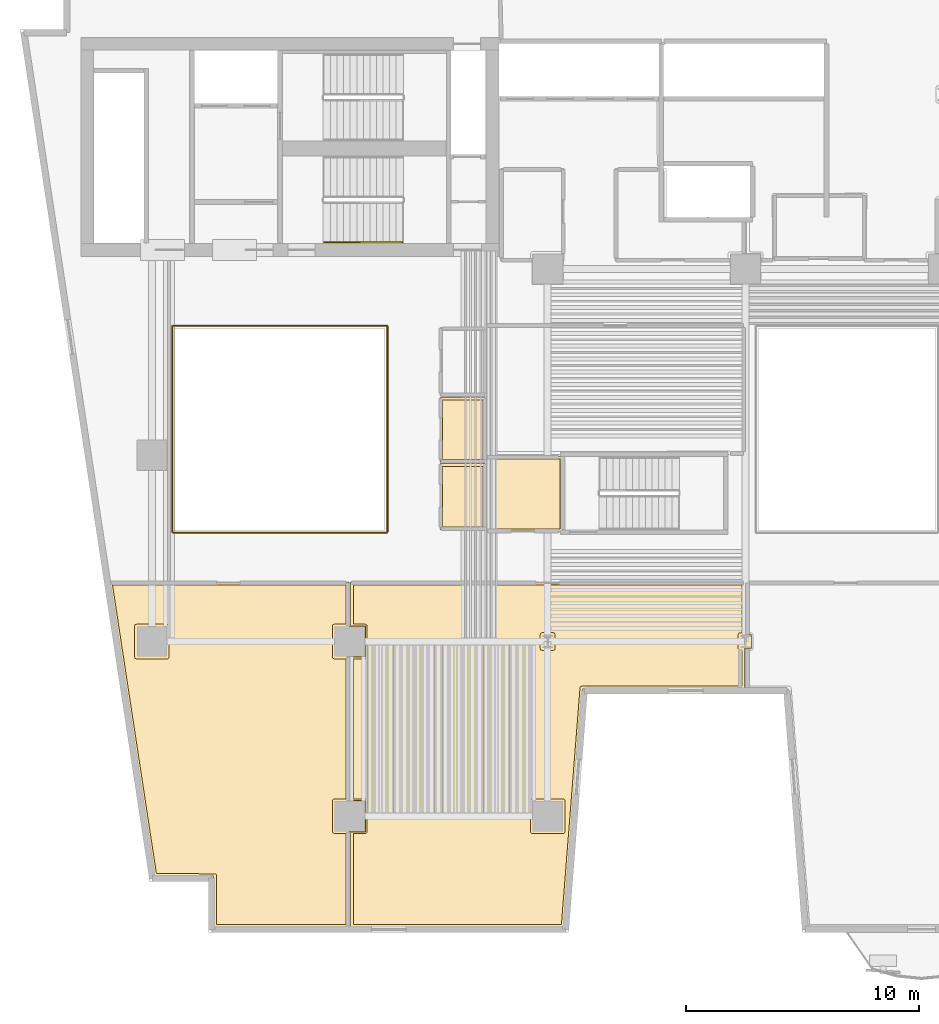
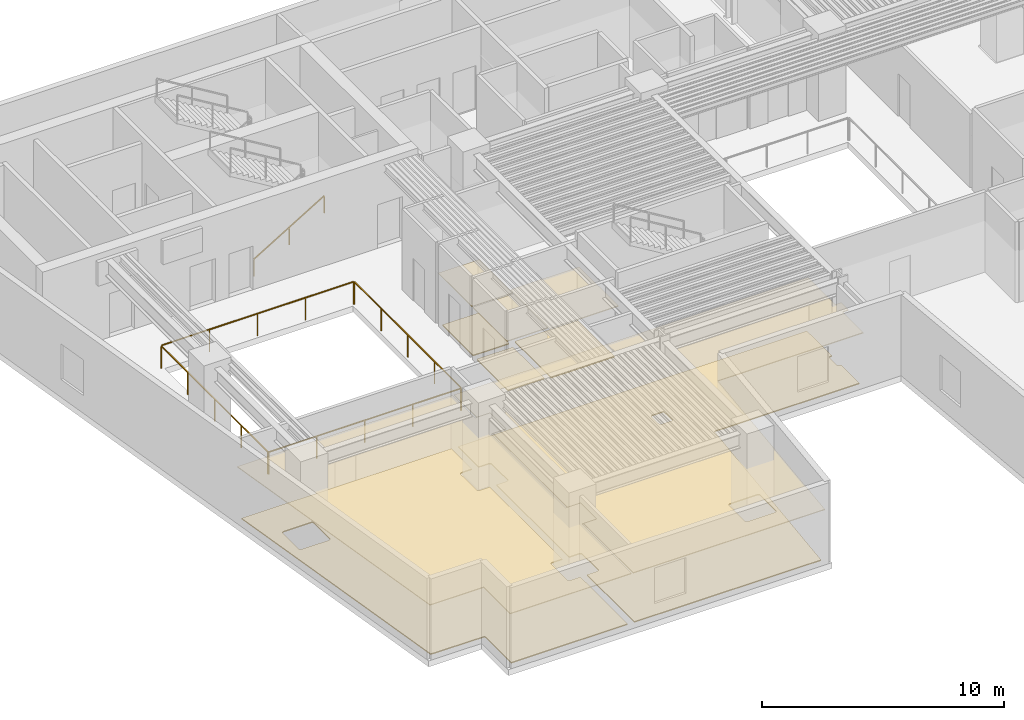
# One storey, part 8 of 12: 10 coverings, 5 railings.
"""IFC4 building model written with IfcOpenShell, lengths in metres."""

from ifc_helpers import new_model, si_unit, direction, frame, origin, origin_2d, place, context, subcontext, project, spatial, polyline, rectangle, outline, extrude, material, layer, layer_set, type_object, element, save


model = new_model("IFC4")

# Units and contexts
model_context = context("Model", 3, precision=1e-05, world=origin(), true_north=direction((0.0, 1.0)))
body_context = subcontext(model_context, "Body", "Model", "MODEL_VIEW")
ifc_project = project(units=[si_unit("LENGTHUNIT", "METRE"), si_unit("AREAUNIT", "SQUARE_METRE"), si_unit("VOLUMEUNIT", "CUBIC_METRE"), si_unit("PLANEANGLEUNIT", "RADIAN"), si_unit("MASSUNIT", "GRAM", prefix="KILO")], contexts=[model_context])

# Site, building, storey
site_placement = place(None, origin())
site = spatial("IfcSite", under=ifc_project, at=site_placement, CompositionType="ELEMENT")
building_placement = place(site_placement, origin())
building = spatial("IfcBuilding", under=site, at=building_placement, Name="Caeloran Harvest Quay", CompositionType="ELEMENT")
storey_placement = place(building_placement, frame((0.0, 0.0, 35.800048828125)))
storey = spatial("IfcBuildingStorey", under=building, at=storey_placement, Name="L08", CompositionType="ELEMENT", Elevation=35.800048828125)

# Coverings
ifc_material_1 = material(Name="Perforated Mineral-Fibre Acoustic Ceiling Tile", Category="ceiling")
ifc_layer_1 = layer(ifc_material_1, 0.0400390625, Name="Perforated Mineral-Fibre Acoustic Ceiling Tile")
ifc_layer_set_1 = layer_set([ifc_layer_1], Name="Perforated Mineral-Fibre Acoustic Ceiling Tile")
covering_type_1 = type_object("IfcCoveringType", Name="COV-CEILING-ACOUSTIC", PredefinedType="CEILING", material=ifc_layer_set_1)
covering_1_placement = place(storey_placement, frame((0.0, 0.0, 2.599853515625)))
element("IfcCovering", 1, at=covering_1_placement, inside=storey, type_object=covering_type_1, Name="L08 Female Washroom WC Acoustic Ceiling", PredefinedType="CEILING", context=body_context, shape_type="SweptSolid", body=[
    extrude(outline(polyline([(22.840087890625, 22.7099609375), (20.8701171875, 22.7099609375), (20.8701171875, 25.489990234375), (22.840087890625, 25.489990234375), (22.840087890625, 22.7099609375)])), origin(), (0.0, 0.0, 1.0), 0.0400390625),
])
covering_2_placement = place(storey_placement, frame((0.0, 0.0, 2.599853515625)))
element("IfcCovering", 2, at=covering_2_placement, inside=storey, type_object=covering_type_1, Name="L08 Accessible Unisex Washroom WC Acoustic Ceiling", PredefinedType="CEILING", context=body_context, shape_type="SweptSolid", body=[
    extrude(outline(polyline([(22.840087890625, 19.81005859375), (20.8701171875, 19.81005859375), (20.8701171875, 22.639892578125), (22.840087890625, 22.639892578125), (22.840087890625, 19.81005859375)])), origin(), (0.0, 0.0, 1.0), 0.0400390625),
])
covering_3_placement = place(storey_placement, frame((0.0, 0.0, 2.599853515625)))
element("IfcCovering", 3, at=covering_3_placement, inside=storey, type_object=covering_type_1, Name="Aeroponic Root-Mist Growing Chamber Acoustic Ceiling", PredefinedType="CEILING", context=body_context, shape_type="SweptSolid", body=[
    extrude(outline(polyline([(17.669921875, 6.830078125), (16.9599609375, 6.830078125), (16.9599609375, 2.719970703125), (11.156982421875, 2.719970703125), (11.156982421875, 4.919921875), (8.59130859375, 4.919921875), (6.668701171875, 17.56005859375), (16.9599609375, 17.56005859375), (16.9599609375, 15.669921875), (17.669921875, 15.669921875), (17.669921875, 14.330078125), (16.9599609375, 14.330078125), (16.9599609375, 8.169921875), (17.669921875, 8.169921875), (17.669921875, 6.830078125)])), origin(), (0.0, 0.0, 1.0), 0.0400390625),
])
covering_4_placement = place(storey_placement, frame((0.0, 0.0, 2.599853515625)))
element("IfcCovering", 4, at=covering_4_placement, inside=storey, type_object=covering_type_1, Name="Seedling Nursery Room Acoustic Ceiling", PredefinedType="CEILING", context=body_context, shape_type="SweptSolid", body=[
    extrude(outline(polyline([(16.330078125, 8.169921875), (17.0400390625, 8.169921875), (17.0400390625, 14.330078125), (16.330078125, 14.330078125), (16.330078125, 15.669921875), (17.0400390625, 15.669921875), (17.0400390625, 17.56005859375), (33.9599609375, 17.56005859375), (33.9599609375, 15.304443359375), (34.2470703125, 15.304443359375), (34.2470703125, 14.695556640625), (33.9599609375, 14.695556640625), (33.9599609375, 12.969970703125), (26.99951171875, 12.969970703125), (26.199462890625, 2.719970703125), (17.0400390625, 2.719970703125), (17.0400390625, 6.830078125), (16.330078125, 6.830078125), (16.330078125, 8.169921875)])), origin(), (0.0, 0.0, 1.0), 0.0400390625),
])
covering_5_placement = place(storey_placement, frame((0.0, 0.0, 2.599853515625)))
element("IfcCovering", 5, at=covering_5_placement, inside=storey, type_object=covering_type_1, Name="Agronomist Office Acoustic Ceiling", PredefinedType="CEILING", context=body_context, shape_type="SweptSolid", body=[
    extrude(outline(polyline([(26.139892578125, 22.9599609375), (26.139892578125, 19.7099609375), (22.8701171875, 19.7099609375), (22.8701171875, 22.9599609375), (26.139892578125, 22.9599609375)])), origin(), (0.0, 0.0, 1.0), 0.0400390625),
])
ifc_material_2 = material(Name="Calcium-Sulphate Raised Access Floor and Terrazzo Finish", Category="flooring")
ifc_layer_2 = layer(ifc_material_2, 0.050048828125, Name="Calcium-Sulphate Raised Access Floor and Terrazzo Finish")
ifc_layer_set_2 = layer_set([ifc_layer_2], Name="Calcium-Sulphate Raised Access Floor and Terrazzo Finish")
covering_type_2 = type_object("IfcCoveringType", Name="COV-FLOOR-RAISED", PredefinedType="FLOORING", material=ifc_layer_set_2)
covering_6_placement = place(storey_placement, origin())
element("IfcCovering", 6, at=covering_6_placement, inside=storey, type_object=covering_type_2, Name="L08 Female Washroom WC Raised Finish Flooring", PredefinedType="FLOORING", context=body_context, shape_type="SweptSolid", body=[
    extrude(outline(polyline([(22.719970703125, 22.830078125), (20.989990234375, 22.830078125), (20.989990234375, 25.3701171875), (22.719970703125, 25.3701171875), (22.719970703125, 22.830078125)])), origin(), (0.0, 0.0, 1.0), 0.050048828125),
])
covering_7_placement = place(storey_placement, origin())
element("IfcCovering", 7, at=covering_7_placement, inside=storey, type_object=covering_type_2, Name="L08 Accessible Unisex Washroom WC Raised Finish Flooring", PredefinedType="FLOORING", context=body_context, shape_type="SweptSolid", body=[
    extrude(outline(polyline([(22.719970703125, 19.929931640625), (20.989990234375, 19.929931640625), (20.989990234375, 22.52001953125), (22.719970703125, 22.52001953125), (22.719970703125, 19.929931640625)])), origin(), (0.0, 0.0, 1.0), 0.050048828125),
])
covering_8_placement = place(storey_placement, origin())
element("IfcCovering", 8, at=covering_8_placement, inside=storey, type_object=covering_type_2, Name="Aeroponic Root-Mist Growing Chamber Raised Finish Flooring", PredefinedType="FLOORING", context=body_context, shape_type="SweptSolid", body=[
    extrude(outline(polyline([(16.840087890625, 17.43994140625), (16.840087890625, 15.7451171875), (16.3271484375, 15.74462890625), (16.273193359375, 15.7158203125), (16.2548828125, 15.6650390625), (16.260986328125, 14.304443359375), (16.3271484375, 14.25537109375), (16.840087890625, 14.2548828125), (16.840087890625, 8.2451171875), (16.3271484375, 8.24462890625), (16.273193359375, 8.2158203125), (16.2548828125, 8.1650390625), (16.260986328125, 6.804443359375), (16.3271484375, 6.75537109375), (16.840087890625, 6.7548828125), (16.840087890625, 2.840087890625), (11.277099609375, 2.840087890625), (11.277099609375, 4.9599609375), (11.247802734375, 5.021728515625), (8.694580078125, 5.0400390625), (6.80810546875, 17.43994140625), (16.840087890625, 17.43994140625)]), holes=[polyline([(9.2451171875, 15.6650390625), (9.2216796875, 15.7216796875), (9.1650390625, 15.7451171875), (7.8349609375, 15.7451171875), (7.7783203125, 15.7216796875), (7.7548828125, 15.6650390625), (7.7548828125, 14.3349609375), (7.7783203125, 14.2783203125), (7.8349609375, 14.2548828125), (9.1650390625, 14.2548828125), (9.2216796875, 14.2783203125), (9.2451171875, 14.3349609375), (9.2451171875, 15.6650390625)])]), origin(), (0.0, 0.0, 1.0), 0.050048828125),
])
covering_9_placement = place(storey_placement, origin())
element("IfcCovering", 9, at=covering_9_placement, inside=storey, type_object=covering_type_2, Name="Seedling Nursery Room Raised Finish Flooring", PredefinedType="FLOORING", context=body_context, shape_type="SweptSolid", body=[
    extrude(outline(polyline([(33.840087890625, 17.43994140625), (33.840087890625, 15.37939453125), (33.72021484375, 15.3701171875), (33.677978515625, 15.299560546875), (33.679443359375, 14.684814453125), (33.727294921875, 14.626708984375), (33.840087890625, 14.62060546875), (33.840087890625, 13.090087890625), (26.96240234375, 13.090087890625), (26.891357421875, 13.046630859375), (26.08837890625, 2.840087890625), (17.159912109375, 2.840087890625), (17.159912109375, 6.7548828125), (17.6728515625, 6.75537109375), (17.726806640625, 6.7841796875), (17.7451171875, 6.8349609375), (17.739013671875, 8.195556640625), (17.6728515625, 8.24462890625), (17.159912109375, 8.2451171875), (17.159912109375, 14.2548828125), (17.6728515625, 14.25537109375), (17.726806640625, 14.2841796875), (17.7451171875, 14.3349609375), (17.739013671875, 15.695556640625), (17.6728515625, 15.74462890625), (17.159912109375, 15.7451171875), (17.159912109375, 17.43994140625), (33.840087890625, 17.43994140625)]), holes=[polyline([(26.2451171875, 8.1650390625), (26.2216796875, 8.2216796875), (26.1650390625, 8.2451171875), (24.8349609375, 8.2451171875), (24.7783203125, 8.2216796875), (24.7548828125, 8.1650390625), (24.7548828125, 6.8349609375), (24.7783203125, 6.7783203125), (24.8349609375, 6.7548828125), (26.1650390625, 6.7548828125), (26.2216796875, 6.7783203125), (26.2451171875, 6.8349609375), (26.2451171875, 8.1650390625)]), polyline([(25.822021484375, 14.700439453125), (25.8037109375, 15.350341796875), (25.749755859375, 15.379150390625), (25.258056640625, 15.37939453125), (25.201416015625, 15.356201171875), (25.177978515625, 15.299560546875), (25.177978515625, 14.700439453125), (25.201416015625, 14.643798828125), (25.258056640625, 14.62060546875), (25.741943359375, 14.62060546875), (25.798583984375, 14.643798828125), (25.822021484375, 14.700439453125)])]), origin(), (0.0, 0.0, 1.0), 0.050048828125),
])
covering_10_placement = place(storey_placement, origin())
element("IfcCovering", 10, at=covering_10_placement, inside=storey, type_object=covering_type_2, Name="Agronomist Office Raised Finish Flooring", PredefinedType="FLOORING", context=body_context, shape_type="SweptSolid", body=[
    extrude(outline(polyline([(26.02001953125, 22.840087890625), (26.02001953125, 19.830078125), (22.989990234375, 19.830078125), (22.989990234375, 22.840087890625), (26.02001953125, 22.840087890625)])), origin(), (0.0, 0.0, 1.0), 0.050048828125),
])

# Railings
ifc_material_3 = material(Name="Powder-Coated Steel Post and Laminated Glass Guardrail", Category="steel")
ifc_layer_3 = layer(ifc_material_3, 0.06005859375, Name="Powder-Coated Steel Post and Laminated Glass Guardrail")
ifc_layer_set_3 = layer_set([ifc_layer_3], Name="Powder-Coated Steel Post and Laminated Glass Guardrail")
railing_type_1 = type_object("IfcRailingType", Name="GUARD-ATRIUM-1150", PredefinedType="GUARDRAIL", material=ifc_layer_set_3)
railing_1_placement = place(storey_placement, frame((9.412109375, 19.679931640625, 0.0)))
element("IfcRailing", 11, at=railing_1_placement, inside=storey, type_object=railing_type_1, Name="L08 Skylit Atrium Void Perimeter Guardrail Seg 1", PredefinedType="GUARDRAIL", context=body_context, shape_type="SweptSolid", body=[
    extrude(rectangle(XDim=0.048095703125, YDim=0.048095703125, at=origin_2d()), frame((0.0, 0.0, 1.1259765625), z_axis=(1.0, 0.0, 0.0), x_axis=(0.0, 1.0, 0.0)), (0.0, 0.0, 1.0), 9.17578125),
    extrude(rectangle(XDim=0.0419921875, YDim=0.0419921875, at=origin_2d()), origin(), (0.0, 0.0, 1.0), 1.101806640625),
    extrude(rectangle(XDim=0.0419921875, YDim=0.0419921875, at=origin_2d()), frame((2.2939453125, 0.0, 0.0)), (0.0, 0.0, 1.0), 1.101806640625),
    extrude(rectangle(XDim=0.0419921875, YDim=0.0419921875, at=origin_2d()), frame((4.587890625, 0.0, 0.0)), (0.0, 0.0, 1.0), 1.101806640625),
    extrude(rectangle(XDim=0.0419921875, YDim=0.0419921875, at=origin_2d()), frame((6.8818359375, 0.0, 0.0)), (0.0, 0.0, 1.0), 1.101806640625),
    extrude(rectangle(XDim=0.0419921875, YDim=0.0419921875, at=origin_2d()), frame((9.17578125, 0.0, 0.0)), (0.0, 0.0, 1.0), 1.101806640625),
])
railing_2_placement = place(storey_placement, frame((18.6201171875, 19.7119140625, 0.0)))
element("IfcRailing", 12, at=railing_2_placement, inside=storey, type_object=railing_type_1, Name="L08 Skylit Atrium Void Perimeter Guardrail Seg 2", PredefinedType="GUARDRAIL", context=body_context, shape_type="SweptSolid", body=[
    extrude(rectangle(XDim=0.048095703125, YDim=0.048095703125, at=origin_2d()), frame((0.0, 0.0, 1.1259765625), z_axis=(0.0, 1.0, 0.0), x_axis=(-1.0, 0.0, 0.0)), (0.0, 0.0, 1.0), 8.826171875),
    extrude(rectangle(XDim=0.0419921875, YDim=0.0419921875, at=origin_2d()), origin(), (0.0, 0.0, 1.0), 1.101806640625),
    extrude(rectangle(XDim=0.0419921875, YDim=0.0419921875, at=origin_2d()), frame((0.0, 2.20654296875, 0.0)), (0.0, 0.0, 1.0), 1.101806640625),
    extrude(rectangle(XDim=0.0419921875, YDim=0.0419921875, at=origin_2d()), frame((0.0, 4.4130859375, 0.0)), (0.0, 0.0, 1.0), 1.101806640625),
    extrude(rectangle(XDim=0.0419921875, YDim=0.0419921875, at=origin_2d()), frame((0.0, 6.61962890625, 0.0)), (0.0, 0.0, 1.0), 1.101806640625),
    extrude(rectangle(XDim=0.0419921875, YDim=0.0419921875, at=origin_2d()), frame((0.0, 8.826171875, 0.0)), (0.0, 0.0, 1.0), 1.101806640625),
])
railing_3_placement = place(storey_placement, frame((18.587890625, 28.570068359375, 0.0)))
element("IfcRailing", 13, at=railing_3_placement, inside=storey, type_object=railing_type_1, Name="L08 Skylit Atrium Void Perimeter Guardrail Seg 3", PredefinedType="GUARDRAIL", context=body_context, shape_type="SweptSolid", body=[
    extrude(rectangle(XDim=0.048095703125, YDim=0.048095703125, at=origin_2d()), frame((0.0, 0.0, 1.1259765625), z_axis=(-1.0, 0.0, 0.0), x_axis=(0.0, -1.0, 0.0)), (0.0, 0.0, 1.0), 9.17578125),
    extrude(rectangle(XDim=0.0419921875, YDim=0.0419921875, at=origin_2d()), origin(), (0.0, 0.0, 1.0), 1.101806640625),
    extrude(rectangle(XDim=0.0419921875, YDim=0.0419921875, at=origin_2d()), frame((-2.2939453125, 0.0, 0.0)), (0.0, 0.0, 1.0), 1.101806640625),
    extrude(rectangle(XDim=0.0419921875, YDim=0.0419921875, at=origin_2d()), frame((-4.587890625, 0.0, 0.0)), (0.0, 0.0, 1.0), 1.101806640625),
    extrude(rectangle(XDim=0.0419921875, YDim=0.0419921875, at=origin_2d()), frame((-6.8818359375, 0.0, 0.0)), (0.0, 0.0, 1.0), 1.101806640625),
    extrude(rectangle(XDim=0.0419921875, YDim=0.0419921875, at=origin_2d()), frame((-9.17578125, 0.0, 0.0)), (0.0, 0.0, 1.0), 1.101806640625),
])
railing_4_placement = place(storey_placement, frame((9.3798828125, 28.5380859375, 0.0)))
element("IfcRailing", 14, at=railing_4_placement, inside=storey, type_object=railing_type_1, Name="L08 Skylit Atrium Void Perimeter Guardrail Seg 4", PredefinedType="GUARDRAIL", context=body_context, shape_type="SweptSolid", body=[
    extrude(rectangle(XDim=0.048095703125, YDim=0.048095703125, at=origin_2d()), frame((0.0, 0.0, 1.1259765625), z_axis=(0.0, -1.0, 0.0), x_axis=(1.0, 0.0, 0.0)), (0.0, 0.0, 1.0), 8.826171875),
    extrude(rectangle(XDim=0.0419921875, YDim=0.0419921875, at=origin_2d()), origin(), (0.0, 0.0, 1.0), 1.101806640625),
    extrude(rectangle(XDim=0.0419921875, YDim=0.0419921875, at=origin_2d()), frame((0.0, -2.20654296875, 0.0)), (0.0, 0.0, 1.0), 1.101806640625),
    extrude(rectangle(XDim=0.0419921875, YDim=0.0419921875, at=origin_2d()), frame((0.0, -4.4130859375, 0.0)), (0.0, 0.0, 1.0), 1.101806640625),
    extrude(rectangle(XDim=0.0419921875, YDim=0.0419921875, at=origin_2d()), frame((0.0, -6.61962890625, 0.0)), (0.0, 0.0, 1.0), 1.101806640625),
    extrude(rectangle(XDim=0.0419921875, YDim=0.0419921875, at=origin_2d()), frame((0.0, -8.826171875, 0.0)), (0.0, 0.0, 1.0), 1.101806640625),
])
ifc_material_4 = material(Name="Brushed Stainless Steel Grade 304", Category="steel")
ifc_layer_4 = layer(ifc_material_4, 0.050048828125, Name="Brushed Stainless Steel Grade 304")
ifc_layer_set_4 = layer_set([ifc_layer_4], Name="Brushed Stainless Steel Grade 304")
railing_type_2 = type_object("IfcRailingType", Name="STAIR-HANDRAIL-900", PredefinedType="HANDRAIL", material=ifc_layer_set_4)
railing_5_placement = place(storey_placement, frame((15.89990234375, 32.14990234375, 0.169189453125)))
element("IfcRailing", 15, at=railing_5_placement, inside=storey, type_object=railing_type_2, Name="L08 ST-C2 stair handrail 1", PredefinedType="HANDRAIL", context=body_context, shape_type="SweptSolid", body=[
    extrude(rectangle(XDim=0.048095703125, YDim=0.048095703125, at=origin_2d()), frame((0.0, 0.0, 0.8759765625), z_axis=(0.855836976705, 0.0, 0.517245656632), x_axis=(0.0, 1.0, 0.0)), (0.0, 0.0, 1.0), 3.926025390625),
    extrude(rectangle(XDim=0.0419921875, YDim=0.0419921875, at=origin_2d()), origin(), (0.0, 0.0, 1.0), 0.851806640625),
    extrude(rectangle(XDim=0.0419921875, YDim=0.0419921875, at=origin_2d()), frame((1.68017578125, 0.0, 1.015380859375)), (0.0, 0.0, 1.0), 0.851806640625),
    extrude(rectangle(XDim=0.0419921875, YDim=0.0419921875, at=origin_2d()), frame((3.360107421875, 0.0, 2.03076171875)), (0.0, 0.0, 1.0), 0.851806640625),
])

save(model, "model.ifc")
